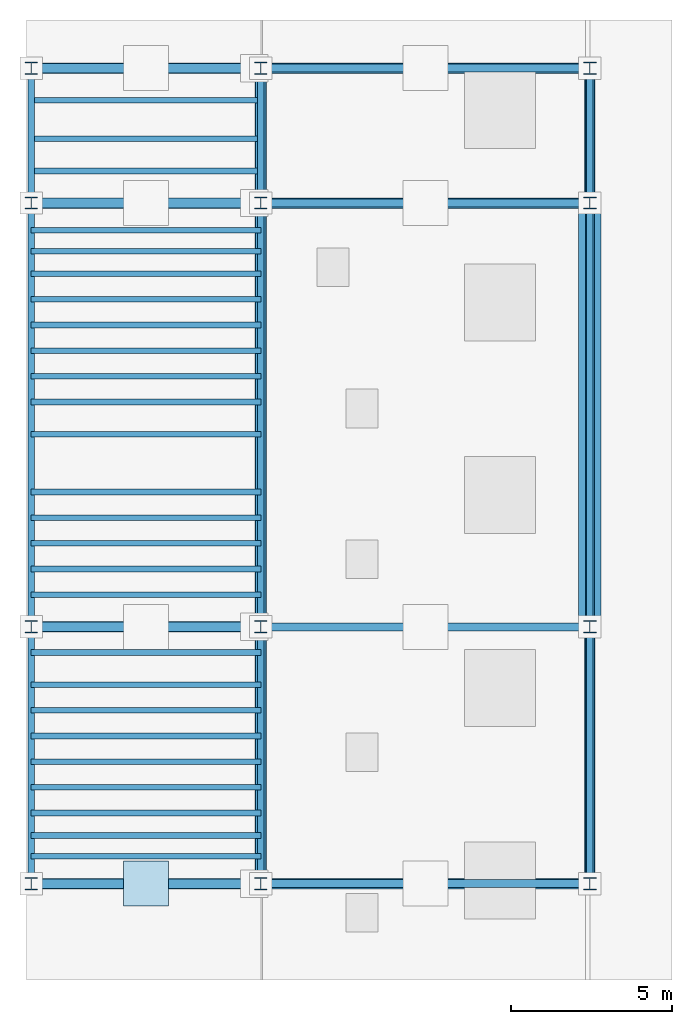
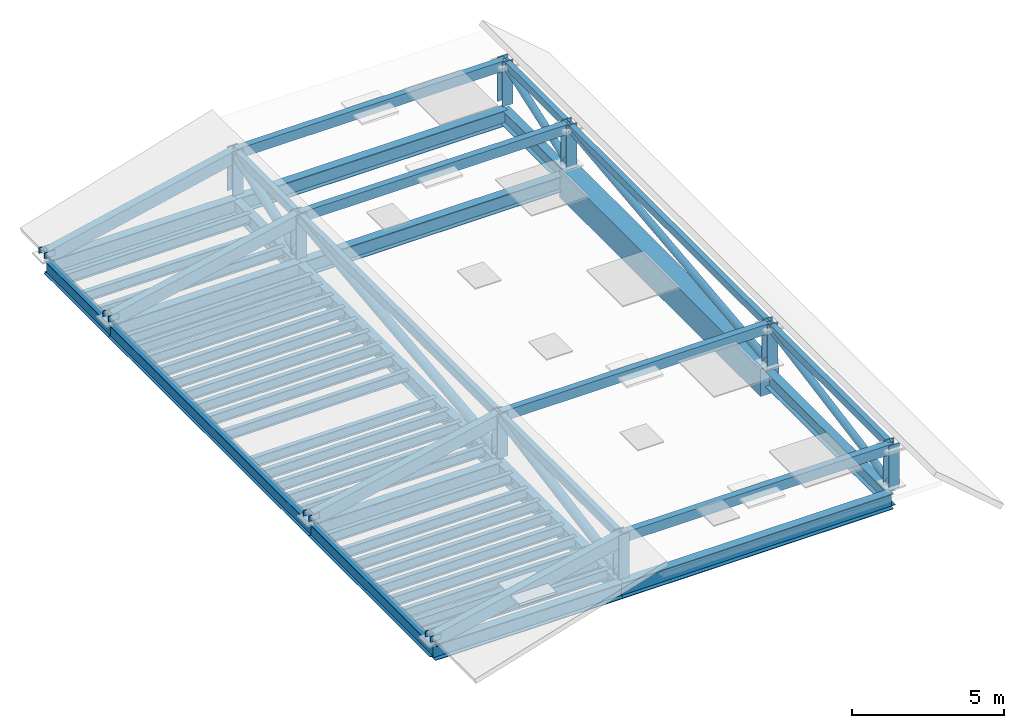
# One storey, part 1 of 2: 42 beams, 20 members, 12 columns, 1 plate.
"""IFC4 building model written with IfcOpenShell, lengths in metres."""

from ifc_helpers import new_model, si_unit, direction, frame, origin, origin_2d, place, context, subcontext, project, spatial, rectangle, hollow_rectangle, hollow_circle, i_section, extrude, source, transform, mapped, material, layer, layer_set, material_profile, profile_set, type_object, element, save


model = new_model("IFC4")

# Units and contexts
model_context = context("Model", 3, precision=1e-05, world=origin(), true_north=direction((0.0, 1.0)))
body_context = subcontext(model_context, "Body", "Model", "MODEL_VIEW")
ifc_project = project(units=[si_unit("LENGTHUNIT", "METRE"), si_unit("AREAUNIT", "SQUARE_METRE"), si_unit("VOLUMEUNIT", "CUBIC_METRE"), si_unit("PLANEANGLEUNIT", "RADIAN"), si_unit("MASSUNIT", "GRAM", prefix="KILO")], contexts=[model_context])

# Site, building, storey
site_placement = place(None, origin())
site = spatial("IfcSite", under=ifc_project, at=site_placement, CompositionType="ELEMENT")
building_placement = place(site_placement, origin())
building = spatial("IfcBuilding", under=site, at=building_placement, Name="Valdorenza Pilgrim Sanctuary Tower", CompositionType="ELEMENT")
storey_placement = place(building_placement, frame((0.0, 0.0, 307.60009765625)))
storey = spatial("IfcBuildingStorey", under=building, at=storey_placement, Name="RF", CompositionType="ELEMENT", Elevation=307.60009765625)

# Columns
ifc_material_1 = material(Name="Steel ASTM A992 Grade 50", Category="steel")
ifc_material_profile_1 = material_profile(ifc_material_1, i_section(OverallWidth=0.39892578125, OverallDepth=0.386962890625, WebThickness=0.02099609375, FlangeThickness=0.033203125, at=origin_2d()), Name="W14X176")
ifc_profile_set_1 = profile_set([ifc_material_profile_1], Name="Steel ASTM A992 Grade 50")
column_type = type_object("IfcColumnType", Name="COL-PIL-W176", PredefinedType="PILASTER", material=ifc_profile_set_1)
shared_shape_1 = source(origin(), body_context, "Body", "SweptSolid", [
    extrude(i_section(OverallWidth=0.39892578125, OverallDepth=0.386962890625, WebThickness=0.02099609375, FlangeThickness=0.033203125, at=origin_2d()), origin(), (0.0, 0.0, 1.0), 1.77978515625),
])
for number, where, z_axis, x_axis, name in (
    (1, (-22.64990234375, -10.60009765625, 0.0), (0.0, 0.0, 1.0), (1.0, 0.0, 0.0), "RF Crown Ridge Support Post W1"),
    (2, (-12.39990234375, -10.60009765625, 0.0), (0.0, 0.0, 1.0), (1.0, 0.0, 0.0), "RF Crown Ridge Support Post E1"),
    (3, (-22.64990234375, -2.60009765625, 0.0), (0.0, 0.0, 1.0), (1.0, 0.0, 0.0), "RF Crown Ridge Support Post W2"),
    (4, (-12.39990234375, -2.60009765625, 0.0), (0.0, 0.0, 1.0), (1.0, 0.0, 0.0), "RF Crown Ridge Support Post E2"),
    (5, (-22.64990234375, 10.60009765625, 0.0), (0.0, 0.0, 1.0), (1.0, 0.0, 0.0), "RF Crown Ridge Support Post W3"),
    (6, (-12.39990234375, 10.60009765625, 0.0), (0.0, 0.0, 1.0), (1.0, 0.0, 0.0), "RF Crown Ridge Support Post E3"),
    (7, (-22.64990234375, 14.800048828125, 0.0), (0.0, 0.0, 1.0), (1.0, 0.0, 0.0), "RF Crown Ridge Support Post W4"),
    (8, (-12.39990234375, 14.800048828125, 0.0), (0.0, 0.0, 1.0), (1.0, 0.0, 0.0), "RF Crown Ridge Support Post E4"),
):
    element("IfcColumn", number, at=place(storey_placement, frame(where, z_axis=z_axis, x_axis=x_axis)), inside=storey, type_object=column_type, Name=name, PredefinedType="PILASTER", context=body_context, shape_type="MappedRepresentation", body=[
        mapped(shared_shape_1, transform((0.0, 0.0, 0.0), x_axis=(1.0, 0.0, 0.0), y_axis=(0.0, 1.0, 0.0), z_axis=(0.0, 0.0, 1.0), scale=1.0)),
    ])
shared_shape_2 = source(origin(), body_context, "Body", "SweptSolid", [
    extrude(i_section(OverallWidth=0.39892578125, OverallDepth=0.386962890625, WebThickness=0.02099609375, FlangeThickness=0.033203125, at=origin_2d()), origin(), (0.0, 0.0, 1.0), 0.219970703125),
])
for number, where, z_axis, x_axis, name in (
    (9, (-29.800048828125, -10.60009765625, 0.0), (0.0, 0.0, 1.0), (1.0, 0.0, 0.0), "RF West Eave Support Post 1"),
    (10, (-29.800048828125, -2.60009765625, 0.0), (0.0, 0.0, 1.0), (1.0, 0.0, 0.0), "RF West Eave Support Post 2"),
    (11, (-29.800048828125, 10.60009765625, 0.0), (0.0, 0.0, 1.0), (1.0, 0.0, 0.0), "RF West Eave Support Post 3"),
    (12, (-29.800048828125, 14.800048828125, 0.0), (0.0, 0.0, 1.0), (1.0, 0.0, 0.0), "RF West Eave Support Post 4"),
):
    element("IfcColumn", number, at=place(storey_placement, frame(where, z_axis=z_axis, x_axis=x_axis)), inside=storey, type_object=column_type, Name=name, PredefinedType="PILASTER", context=body_context, shape_type="MappedRepresentation", body=[
        mapped(shared_shape_2, transform((0.0, 0.0, 0.0), x_axis=(1.0, 0.0, 0.0), y_axis=(0.0, 1.0, 0.0), z_axis=(0.0, 0.0, 1.0), scale=1.0)),
    ])

# Beams
ifc_material_2 = material(Name="Concrete C50/60", Category="concrete")
ifc_material_profile_2 = material_profile(ifc_material_2, rectangle(XDim=0.699951171875, YDim=1.10009765625, at=origin_2d()), Name="RC 1100x700")
ifc_profile_set_2 = profile_set([ifc_material_profile_2], Name="Concrete C50/60")
beam_type_1 = type_object("IfcBeamType", Name="STR-BM-LNT-1100", PredefinedType="LINTEL", material=ifc_profile_set_2)
shared_shape_3 = source(origin(), body_context, "Body", "SweptSolid", [
    extrude(rectangle(XDim=0.699951171875, YDim=1.10009765625, at=origin_2d()), origin(), (0.0, 0.0, 1.0), 13.2001953125),
])
beam_1_placement = place(storey_placement, frame((-12.39990234375, -2.60009765625, -0.590087890625), z_axis=(0.0, 1.0, 0.0), x_axis=(-1.0, 0.0, 0.0)))
element("IfcBeam", 13, at=beam_1_placement, inside=storey, type_object=beam_type_1, Name="RF Core A Coupling Lintel Girder", PredefinedType="LINTEL", context=body_context, shape_type="MappedRepresentation", body=[
    mapped(shared_shape_3, transform((0.0, 0.0, 0.0), x_axis=(1.0, 0.0, 0.0), y_axis=(0.0, 1.0, 0.0), z_axis=(0.0, 0.0, 1.0), scale=1.0)),
])
ifc_material_profile_3 = material_profile(ifc_material_1, i_section(OverallWidth=0.323974609375, OverallDepth=0.611083984375, WebThickness=0.0126953125, FlangeThickness=0.01904296875, at=origin_2d()), Name="W24X104")
ifc_profile_set_3 = profile_set([ifc_material_profile_3], Name="Steel ASTM A992 Grade 50")
beam_type_2 = type_object("IfcBeamType", Name="STR-BM-GRD-W24B", PredefinedType="BEAM", material=ifc_profile_set_3)
shared_shape_4 = source(origin(), body_context, "Body", "SweptSolid", [
    extrude(i_section(OverallWidth=0.323974609375, OverallDepth=0.611083984375, WebThickness=0.0126953125, FlangeThickness=0.01904296875, at=origin_2d()), origin(), (0.0, 0.0, 1.0), 8.0),
])
for number, where, z_axis, x_axis, name in (
    (14, (-22.64990234375, -10.60009765625, -0.505615234375), (0.0, 1.0, 0.0), (-1.0, 0.0, 0.0), "RF Core Tie Girder CA-W-S1M0"),
    (15, (-12.39990234375, -10.60009765625, -0.505615234375), (0.0, 1.0, 0.0), (-1.0, 0.0, 0.0), "RF Core Tie Girder CA-E-S1M0"),
):
    element("IfcBeam", number, at=place(storey_placement, frame(where, z_axis=z_axis, x_axis=x_axis)), inside=storey, type_object=beam_type_2, Name=name, PredefinedType="BEAM", context=body_context, shape_type="MappedRepresentation", body=[
        mapped(shared_shape_4, transform((0.0, 0.0, 0.0), x_axis=(1.0, 0.0, 0.0), y_axis=(0.0, 1.0, 0.0), z_axis=(0.0, 0.0, 1.0), scale=1.0)),
    ])
shared_shape_5 = source(origin(), body_context, "Body", "SweptSolid", [
    extrude(i_section(OverallWidth=0.323974609375, OverallDepth=0.611083984375, WebThickness=0.0126953125, FlangeThickness=0.01904296875, at=origin_2d()), origin(), (0.0, 0.0, 1.0), 13.2001953125),
])
beam_2_placement = place(storey_placement, frame((-22.64990234375, -2.60009765625, -0.505615234375), z_axis=(0.0, 1.0, 0.0), x_axis=(-1.0, 0.0, 0.0)))
element("IfcBeam", 16, at=beam_2_placement, inside=storey, type_object=beam_type_2, Name="RF Core Tie Girder CA-W-M0N1", PredefinedType="BEAM", context=body_context, shape_type="MappedRepresentation", body=[
    mapped(shared_shape_5, transform((0.0, 0.0, 0.0), x_axis=(1.0, 0.0, 0.0), y_axis=(0.0, 1.0, 0.0), z_axis=(0.0, 0.0, 1.0), scale=1.0)),
])
shared_shape_6 = source(origin(), body_context, "Body", "SweptSolid", [
    extrude(i_section(OverallWidth=0.323974609375, OverallDepth=0.611083984375, WebThickness=0.0126953125, FlangeThickness=0.01904296875, at=origin_2d()), origin(), (0.0, 0.0, 1.0), 4.199951171875),
])
for number, where, z_axis, x_axis, name in (
    (17, (-22.64990234375, 10.60009765625, -0.505615234375), (0.0, 1.0, 0.0), (-1.0, 0.0, 0.0), "RF Core Tie Girder CA-W-N1N2"),
    (18, (-12.39990234375, 10.60009765625, -0.505615234375), (0.0, 1.0, 0.0), (-1.0, 0.0, 0.0), "RF Core Tie Girder CA-E-N1N2"),
):
    element("IfcBeam", number, at=place(storey_placement, frame(where, z_axis=z_axis, x_axis=x_axis)), inside=storey, type_object=beam_type_2, Name=name, PredefinedType="BEAM", context=body_context, shape_type="MappedRepresentation", body=[
        mapped(shared_shape_6, transform((0.0, 0.0, 0.0), x_axis=(1.0, 0.0, 0.0), y_axis=(0.0, 1.0, 0.0), z_axis=(0.0, 0.0, 1.0), scale=1.0)),
    ])
ifc_material_profile_4 = material_profile(ifc_material_1, i_section(OverallWidth=0.2109375, OverallDepth=0.5390625, WebThickness=0.01171875, FlangeThickness=0.018798828125, at=origin_2d()), Name="W21X73")
ifc_profile_set_4 = profile_set([ifc_material_profile_4], Name="Steel ASTM A992 Grade 50")
beam_type_3 = type_object("IfcBeamType", Name="STR-BM-SPN-W21B", PredefinedType="SPANDREL", material=ifc_profile_set_4)
shared_shape_7 = source(origin(), body_context, "Body", "SweptSolid", [
    extrude(i_section(OverallWidth=0.2109375, OverallDepth=0.5390625, WebThickness=0.01171875, FlangeThickness=0.018798828125, at=origin_2d()), origin(), (0.0, 0.0, 1.0), 8.0),
])
beam_3_placement = place(storey_placement, frame((-29.800048828125, -10.60009765625, -0.469482421875), z_axis=(0.0, 1.0, 0.0), x_axis=(-1.0, 0.0, 0.0)))
element("IfcBeam", 19, at=beam_3_placement, inside=storey, type_object=beam_type_3, Name="RF Spandrel Beam WA-W-S1M0", PredefinedType="SPANDREL", context=body_context, shape_type="MappedRepresentation", body=[
    mapped(shared_shape_7, transform((0.0, 0.0, 0.0), x_axis=(1.0, 0.0, 0.0), y_axis=(0.0, 1.0, 0.0), z_axis=(0.0, 0.0, 1.0), scale=1.0)),
])
shared_shape_8 = source(origin(), body_context, "Body", "SweptSolid", [
    extrude(i_section(OverallWidth=0.2109375, OverallDepth=0.5390625, WebThickness=0.01171875, FlangeThickness=0.018798828125, at=origin_2d()), origin(), (0.0, 0.0, 1.0), 13.2001953125),
])
beam_4_placement = place(storey_placement, frame((-29.800048828125, -2.60009765625, -0.469482421875), z_axis=(0.0, 1.0, 0.0), x_axis=(-1.0, 0.0, 0.0)))
element("IfcBeam", 20, at=beam_4_placement, inside=storey, type_object=beam_type_3, Name="RF Spandrel Beam WA-W-M0N1", PredefinedType="SPANDREL", context=body_context, shape_type="MappedRepresentation", body=[
    mapped(shared_shape_8, transform((0.0, 0.0, 0.0), x_axis=(1.0, 0.0, 0.0), y_axis=(0.0, 1.0, 0.0), z_axis=(0.0, 0.0, 1.0), scale=1.0)),
])
shared_shape_9 = source(origin(), body_context, "Body", "SweptSolid", [
    extrude(i_section(OverallWidth=0.2109375, OverallDepth=0.5390625, WebThickness=0.01171875, FlangeThickness=0.018798828125, at=origin_2d()), origin(), (0.0, 0.0, 1.0), 4.199951171875),
])
beam_5_placement = place(storey_placement, frame((-29.800048828125, 10.60009765625, -0.469482421875), z_axis=(0.0, 1.0, 0.0), x_axis=(-1.0, 0.0, 0.0)))
element("IfcBeam", 21, at=beam_5_placement, inside=storey, type_object=beam_type_3, Name="RF Spandrel Beam WA-W-N1N2", PredefinedType="SPANDREL", context=body_context, shape_type="MappedRepresentation", body=[
    mapped(shared_shape_9, transform((0.0, 0.0, 0.0), x_axis=(1.0, 0.0, 0.0), y_axis=(0.0, 1.0, 0.0), z_axis=(0.0, 0.0, 1.0), scale=1.0)),
])
ifc_material_profile_5 = material_profile(ifc_material_1, i_section(OverallWidth=0.177978515625, OverallDepth=0.406005859375, WebThickness=0.0078125, FlangeThickness=0.0126953125, at=origin_2d()), Name="W16X40")
ifc_profile_set_5 = profile_set([ifc_material_profile_5], Name="Steel ASTM A992 Grade 50")
beam_type_4 = type_object("IfcBeamType", Name="STR-BM-JST-W16", PredefinedType="JOIST", material=ifc_profile_set_5)
shared_shape_10 = source(origin(), body_context, "Body", "SweptSolid", [
    extrude(i_section(OverallWidth=0.177978515625, OverallDepth=0.406005859375, WebThickness=0.0078125, FlangeThickness=0.0126953125, at=origin_2d()), origin(), (0.0, 0.0, 1.0), 7.150146484375),
])
for number, where, z_axis, x_axis, name in (
    (22, (-29.800048828125, -9.75, -0.403076171875), (1.0, 0.0, 0.0), (0.0, 1.0, 0.0), "RF Composite Floor Joist JST-WA-1"),
    (23, (-29.800048828125, -9.10009765625, -0.403076171875), (1.0, 0.0, 0.0), (0.0, 1.0, 0.0), "RF Composite Floor Joist JST-WA-2"),
    (24, (-29.800048828125, -8.39990234375, -0.403076171875), (1.0, 0.0, 0.0), (0.0, 1.0, 0.0), "RF Composite Floor Joist JST-WA-3"),
    (25, (-29.800048828125, -7.60009765625, -0.403076171875), (1.0, 0.0, 0.0), (0.0, 1.0, 0.0), "RF Composite Floor Joist JST-WA-4"),
    (26, (-29.800048828125, -6.800048828125, -0.403076171875), (1.0, 0.0, 0.0), (0.0, 1.0, 0.0), "RF Composite Floor Joist JST-WA-5"),
    (27, (-29.800048828125, -6.0, -0.403076171875), (1.0, 0.0, 0.0), (0.0, 1.0, 0.0), "RF Composite Floor Joist JST-WA-6"),
    (28, (-29.800048828125, -5.199951171875, -0.403076171875), (1.0, 0.0, 0.0), (0.0, 1.0, 0.0), "RF Composite Floor Joist JST-WA-7"),
    (29, (-29.800048828125, -4.39990234375, -0.403076171875), (1.0, 0.0, 0.0), (0.0, 1.0, 0.0), "RF Composite Floor Joist JST-WA-8"),
    (30, (-29.800048828125, -3.39990234375, -0.403076171875), (1.0, 0.0, 0.0), (0.0, 1.0, 0.0), "RF Composite Floor Joist JST-WA-9"),
    (31, (-29.800048828125, -1.60009765625, -0.403076171875), (1.0, 0.0, 0.0), (0.0, 1.0, 0.0), "RF Composite Floor Joist JST-WA-10"),
    (32, (-29.800048828125, -0.800048828125, -0.403076171875), (1.0, 0.0, 0.0), (0.0, 1.0, 0.0), "RF Composite Floor Joist JST-WA-11"),
    (33, (-29.800048828125, 0.0, -0.403076171875), (1.0, 0.0, 0.0), (0.0, 1.0, 0.0), "RF Composite Floor Joist JST-WA-12"),
    (34, (-29.800048828125, 0.800048828125, -0.403076171875), (1.0, 0.0, 0.0), (0.0, 1.0, 0.0), "RF Composite Floor Joist JST-WA-13"),
    (35, (-29.800048828125, 1.60009765625, -0.403076171875), (1.0, 0.0, 0.0), (0.0, 1.0, 0.0), "RF Composite Floor Joist JST-WA-14"),
    (36, (-29.800048828125, 3.39990234375, -0.403076171875), (1.0, 0.0, 0.0), (0.0, 1.0, 0.0), "RF Composite Floor Joist JST-WA-15"),
    (37, (-29.800048828125, 4.39990234375, -0.403076171875), (1.0, 0.0, 0.0), (0.0, 1.0, 0.0), "RF Composite Floor Joist JST-WA-16"),
    (38, (-29.800048828125, 5.199951171875, -0.403076171875), (1.0, 0.0, 0.0), (0.0, 1.0, 0.0), "RF Composite Floor Joist JST-WA-17"),
    (39, (-29.800048828125, 6.0, -0.403076171875), (1.0, 0.0, 0.0), (0.0, 1.0, 0.0), "RF Composite Floor Joist JST-WA-18"),
    (40, (-29.800048828125, 6.800048828125, -0.403076171875), (1.0, 0.0, 0.0), (0.0, 1.0, 0.0), "RF Composite Floor Joist JST-WA-19"),
    (41, (-29.800048828125, 7.60009765625, -0.403076171875), (1.0, 0.0, 0.0), (0.0, 1.0, 0.0), "RF Composite Floor Joist JST-WA-20"),
    (42, (-29.800048828125, 8.39990234375, -0.403076171875), (1.0, 0.0, 0.0), (0.0, 1.0, 0.0), "RF Composite Floor Joist JST-WA-21"),
    (43, (-29.800048828125, 9.10009765625, -0.403076171875), (1.0, 0.0, 0.0), (0.0, 1.0, 0.0), "RF Composite Floor Joist JST-WA-22"),
    (44, (-29.800048828125, 9.75, -0.403076171875), (1.0, 0.0, 0.0), (0.0, 1.0, 0.0), "RF Composite Floor Joist JST-WA-23"),
    (45, (-29.800048828125, 11.60009765625, -0.403076171875), (1.0, 0.0, 0.0), (0.0, 1.0, 0.0), "RF Composite Floor Joist JST-WA-24"),
    (46, (-29.800048828125, 12.60009765625, -0.403076171875), (1.0, 0.0, 0.0), (0.0, 1.0, 0.0), "RF Composite Floor Joist JST-WA-25"),
    (47, (-29.800048828125, 13.800048828125, -0.403076171875), (1.0, 0.0, 0.0), (0.0, 1.0, 0.0), "RF Composite Floor Joist JST-WA-26"),
):
    element("IfcBeam", number, at=place(storey_placement, frame(where, z_axis=z_axis, x_axis=x_axis)), inside=storey, type_object=beam_type_4, Name=name, PredefinedType="JOIST", context=body_context, shape_type="MappedRepresentation", body=[
        mapped(shared_shape_10, transform((0.0, 0.0, 0.0), x_axis=(1.0, 0.0, 0.0), y_axis=(0.0, 1.0, 0.0), z_axis=(0.0, 0.0, 1.0), scale=1.0)),
    ])
ifc_material_profile_6 = material_profile(ifc_material_1, i_section(OverallWidth=0.326904296875, OverallDepth=0.6220703125, WebThickness=0.015380859375, FlangeThickness=0.0244140625, at=origin_2d()), Name="W24X131")
ifc_profile_set_6 = profile_set([ifc_material_profile_6], Name="Steel ASTM A992 Grade 50")
beam_type_5 = type_object("IfcBeamType", Name="STR-BM-GRD-W24A", PredefinedType="BEAM", material=ifc_profile_set_6)
shared_shape_11 = source(origin(), body_context, "Body", "SweptSolid", [
    extrude(i_section(OverallWidth=0.326904296875, OverallDepth=0.6220703125, WebThickness=0.015380859375, FlangeThickness=0.0244140625, at=origin_2d()), origin(), (0.0, 0.0, 1.0), 7.150146484375),
])
for number, where, z_axis, x_axis, name in (
    (48, (-29.800048828125, -10.60009765625, -0.510986328125), (1.0, 0.0, 0.0), (0.0, 1.0, 0.0), "RF Floor Girder WA-XW-S1"),
    (49, (-29.800048828125, -2.60009765625, -0.510986328125), (1.0, 0.0, 0.0), (0.0, 1.0, 0.0), "RF Floor Girder WA-XW-M0"),
    (50, (-29.800048828125, 10.60009765625, -0.510986328125), (1.0, 0.0, 0.0), (0.0, 1.0, 0.0), "RF Floor Girder WA-XW-N1"),
    (51, (-29.800048828125, 14.800048828125, -0.510986328125), (1.0, 0.0, 0.0), (0.0, 1.0, 0.0), "RF Floor Girder WA-XW-N2"),
):
    element("IfcBeam", number, at=place(storey_placement, frame(where, z_axis=z_axis, x_axis=x_axis)), inside=storey, type_object=beam_type_5, Name=name, PredefinedType="BEAM", context=body_context, shape_type="MappedRepresentation", body=[
        mapped(shared_shape_11, transform((0.0, 0.0, 0.0), x_axis=(1.0, 0.0, 0.0), y_axis=(0.0, 1.0, 0.0), z_axis=(0.0, 0.0, 1.0), scale=1.0)),
    ])
shared_shape_12 = source(origin(), body_context, "Body", "SweptSolid", [
    extrude(i_section(OverallWidth=0.326904296875, OverallDepth=0.6220703125, WebThickness=0.015380859375, FlangeThickness=0.0244140625, at=origin_2d()), origin(), (0.0, 0.0, 1.0), 10.25),
])
for number, where, z_axis, x_axis, name in (
    (52, (-22.64990234375, -10.60009765625, -0.510986328125), (1.0, 0.0, 0.0), (0.0, 1.0, 0.0), "RF Floor Girder CA-XC-S1"),
    (53, (-22.64990234375, 10.60009765625, -0.510986328125), (1.0, 0.0, 0.0), (0.0, 1.0, 0.0), "RF Floor Girder CA-XC-N1"),
    (54, (-22.64990234375, 14.800048828125, -0.510986328125), (1.0, 0.0, 0.0), (0.0, 1.0, 0.0), "RF Floor Girder CA-XC-N2"),
):
    element("IfcBeam", number, at=place(storey_placement, frame(where, z_axis=z_axis, x_axis=x_axis)), inside=storey, type_object=beam_type_5, Name=name, PredefinedType="BEAM", context=body_context, shape_type="MappedRepresentation", body=[
        mapped(shared_shape_12, transform((0.0, 0.0, 0.0), x_axis=(1.0, 0.0, 0.0), y_axis=(0.0, 1.0, 0.0), z_axis=(0.0, 0.0, 1.0), scale=1.0)),
    ])

# Members
ifc_material_3 = material(Name="Steel S355J2", Category="steel")
ifc_material_profile_7 = material_profile(ifc_material_3, hollow_rectangle(XDim=0.300048828125, YDim=0.5, WallThickness=0.02001953125, at=origin_2d()), Name="RHS 500x300x20")
ifc_profile_set_7 = profile_set([ifc_material_profile_7], Name="Steel S355J2")
member_type_1 = type_object("IfcMemberType", Name="STR-MB-RAF-500", PredefinedType="RAFTER", material=ifc_profile_set_7)
shared_shape_13 = source(origin(), body_context, "Body", "SweptSolid", [
    extrude(hollow_rectangle(XDim=0.300048828125, YDim=0.5, WallThickness=0.02001953125, at=origin_2d()), origin(), (0.0, 0.0, 1.0), 7.322509765625),
])
for number, where, z_axis, x_axis, name in (
    (55, (-29.800048828125, -10.60009765625, -0.050048828125), (0.97644914702, 0.0, 0.215747684309), (0.0, 1.0, 0.0), "RF West Crown Sloped Rafter W1"),
    (56, (-29.800048828125, -2.60009765625, -0.050048828125), (0.97644914702, 0.0, 0.215747684309), (0.0, 1.0, 0.0), "RF West Crown Sloped Rafter W2"),
    (57, (-29.800048828125, 10.60009765625, -0.050048828125), (0.97644914702, 0.0, 0.215747684309), (0.0, 1.0, 0.0), "RF West Crown Sloped Rafter W3"),
    (58, (-29.800048828125, 14.800048828125, -0.050048828125), (0.97644914702, 0.0, 0.215747684309), (0.0, 1.0, 0.0), "RF West Crown Sloped Rafter W4"),
):
    element("IfcMember", number, at=place(storey_placement, frame(where, z_axis=z_axis, x_axis=x_axis)), inside=storey, type_object=member_type_1, Name=name, PredefinedType="RAFTER", context=body_context, shape_type="MappedRepresentation", body=[
        mapped(shared_shape_13, transform((0.0, 0.0, 0.0), x_axis=(1.0, 0.0, 0.0), y_axis=(0.0, 1.0, 0.0), z_axis=(0.0, 0.0, 1.0), scale=1.0)),
    ])
ifc_material_profile_8 = material_profile(ifc_material_3, hollow_rectangle(XDim=0.25, YDim=0.39990234375, WallThickness=0.01611328125, at=origin_2d()), Name="RHS 400x250x16")
ifc_profile_set_8 = profile_set([ifc_material_profile_8], Name="Steel S355J2")
member_type_2 = type_object("IfcMemberType", Name="STR-MB-RAF-400", PredefinedType="RAFTER", material=ifc_profile_set_8)
shared_shape_14 = source(origin(), body_context, "Body", "SweptSolid", [
    extrude(hollow_rectangle(XDim=0.25, YDim=0.39990234375, WallThickness=0.01611328125, at=origin_2d()), origin(), (0.0, 0.0, 1.0), 10.25),
])
for number, where, z_axis, x_axis, name in (
    (59, (-22.64990234375, -10.60009765625, 1.579833984375), (1.0, 0.0, 0.0), (0.0, 1.0, 0.0), "RF Central Crown Ridge Rafter E1"),
    (60, (-22.64990234375, -2.60009765625, 1.579833984375), (1.0, 0.0, 0.0), (0.0, 1.0, 0.0), "RF Central Crown Ridge Rafter E2"),
    (61, (-22.64990234375, 10.60009765625, 1.579833984375), (1.0, 0.0, 0.0), (0.0, 1.0, 0.0), "RF Central Crown Ridge Rafter E3"),
    (62, (-22.64990234375, 14.800048828125, 1.579833984375), (1.0, 0.0, 0.0), (0.0, 1.0, 0.0), "RF Central Crown Ridge Rafter E4"),
):
    element("IfcMember", number, at=place(storey_placement, frame(where, z_axis=z_axis, x_axis=x_axis)), inside=storey, type_object=member_type_2, Name=name, PredefinedType="RAFTER", context=body_context, shape_type="MappedRepresentation", body=[
        mapped(shared_shape_14, transform((0.0, 0.0, 0.0), x_axis=(1.0, 0.0, 0.0), y_axis=(0.0, 1.0, 0.0), z_axis=(0.0, 0.0, 1.0), scale=1.0)),
    ])
ifc_material_profile_9 = material_profile(ifc_material_3, hollow_rectangle(XDim=0.199951171875, YDim=0.35009765625, WallThickness=0.012451171875, at=origin_2d()), Name="RHS 350x200x12.5")
ifc_profile_set_9 = profile_set([ifc_material_profile_9], Name="Steel S355J2")
member_type_3 = type_object("IfcMemberType", Name="STR-MB-PUR-350", PredefinedType="PURLIN", material=ifc_profile_set_9)
shared_shape_15 = source(origin(), body_context, "Body", "SweptSolid", [
    extrude(hollow_rectangle(XDim=0.199951171875, YDim=0.35009765625, WallThickness=0.012451171875, at=origin_2d()), origin(), (0.0, 0.0, 1.0), 8.0),
])
member_1_placement = place(storey_placement, frame((-22.64990234375, -10.60009765625, 1.599853515625), z_axis=(0.0, 1.0, 0.0), x_axis=(-1.0, 0.0, 0.0)))
element("IfcMember", 63, at=member_1_placement, inside=storey, type_object=member_type_3, Name="RF Crown West Ridge Purlin 1", PredefinedType="PURLIN", context=body_context, shape_type="MappedRepresentation", body=[
    mapped(shared_shape_15, transform((0.0, 0.0, 0.0), x_axis=(1.0, 0.0, 0.0), y_axis=(0.0, 1.0, 0.0), z_axis=(0.0, 0.0, 1.0), scale=1.0)),
])
ifc_material_profile_10 = material_profile(ifc_material_3, hollow_rectangle(XDim=0.199951171875, YDim=0.300048828125, WallThickness=0.012451171875, at=origin_2d()), Name="RHS 300x200x12.5")
ifc_profile_set_10 = profile_set([ifc_material_profile_10], Name="Steel S355J2")
member_type_4 = type_object("IfcMemberType", Name="STR-MB-BOX-300", PredefinedType="MEMBER", material=ifc_profile_set_10)
shared_shape_16 = source(origin(), body_context, "Body", "SweptSolid", [
    extrude(hollow_rectangle(XDim=0.199951171875, YDim=0.300048828125, WallThickness=0.012451171875, at=origin_2d()), origin(), (0.0, 0.0, 1.0), 8.0),
])
member_2_placement = place(storey_placement, frame((-12.39990234375, -10.60009765625, 1.6298828125), z_axis=(0.0, 1.0, 0.0), x_axis=(-1.0, 0.0, 0.0)))
element("IfcMember", 64, at=member_2_placement, inside=storey, type_object=member_type_4, Name="RF Crown East Ridge Purlin 1", PredefinedType="MEMBER", context=body_context, shape_type="MappedRepresentation", body=[
    mapped(shared_shape_16, transform((0.0, 0.0, 0.0), x_axis=(1.0, 0.0, 0.0), y_axis=(0.0, 1.0, 0.0), z_axis=(0.0, 0.0, 1.0), scale=1.0)),
])
ifc_material_profile_11 = material_profile(ifc_material_3, hollow_circle(Radius=0.177734375, WallThickness=0.012451171875, at=origin_2d()), Name="CHS 355.6x12.5")
ifc_profile_set_11 = profile_set([ifc_material_profile_11], Name="Steel S355J2")
member_type_5 = type_object("IfcMemberType", Name="STR-MB-CHS-355", PredefinedType="BRACE", material=ifc_profile_set_11)
shared_shape_17 = source(origin(), body_context, "Body", "SweptSolid", [
    extrude(hollow_circle(Radius=0.177734375, WallThickness=0.012451171875, at=origin_2d()), origin(), (0.0, 0.0, 1.0), 8.1357421875),
])
member_3_placement = place(storey_placement, frame((-22.64990234375, -10.60009765625, 0.099853515625), z_axis=(0.0, 0.983315021916, 0.181910878383), x_axis=(-1.0, 0.0, 0.0)))
element("IfcMember", 65, at=member_3_placement, inside=storey, type_object=member_type_5, Name="RF Crown Wind Brace A1", PredefinedType="BRACE", context=body_context, shape_type="MappedRepresentation", body=[
    mapped(shared_shape_17, transform((0.0, 0.0, 0.0), x_axis=(1.0, 0.0, 0.0), y_axis=(0.0, 1.0, 0.0), z_axis=(0.0, 0.0, 1.0), scale=1.0)),
])
ifc_material_profile_12 = material_profile(ifc_material_3, hollow_circle(Radius=0.136474609375, WallThickness=0.010009765625, at=origin_2d()), Name="CHS 273x10")
ifc_profile_set_12 = profile_set([ifc_material_profile_12], Name="Steel S355J2")
member_type_6 = type_object("IfcMemberType", Name="STR-MB-CHS-273", PredefinedType="BRACE", material=ifc_profile_set_12)
shared_shape_18 = source(origin(), body_context, "Body", "SweptSolid", [
    extrude(hollow_circle(Radius=0.136474609375, WallThickness=0.010009765625, at=origin_2d()), origin(), (0.0, 0.0, 1.0), 8.1357421875),
])
member_4_placement = place(storey_placement, frame((-12.39990234375, -10.60009765625, 0.099853515625), z_axis=(0.0, 0.983315021916, 0.181910878383), x_axis=(-1.0, 0.0, 0.0)))
element("IfcMember", 66, at=member_4_placement, inside=storey, type_object=member_type_6, Name="RF Crown Wind Brace B1", PredefinedType="BRACE", context=body_context, shape_type="MappedRepresentation", body=[
    mapped(shared_shape_18, transform((0.0, 0.0, 0.0), x_axis=(1.0, 0.0, 0.0), y_axis=(0.0, 1.0, 0.0), z_axis=(0.0, 0.0, 1.0), scale=1.0)),
])
shared_shape_19 = source(origin(), body_context, "Body", "SweptSolid", [
    extrude(hollow_rectangle(XDim=0.199951171875, YDim=0.35009765625, WallThickness=0.012451171875, at=origin_2d()), origin(), (0.0, 0.0, 1.0), 13.2001953125),
])
member_5_placement = place(storey_placement, frame((-22.64990234375, -2.60009765625, 1.599853515625), z_axis=(0.0, 1.0, 0.0), x_axis=(-1.0, 0.0, 0.0)))
element("IfcMember", 67, at=member_5_placement, inside=storey, type_object=member_type_3, Name="RF Crown West Ridge Purlin 2", PredefinedType="PURLIN", context=body_context, shape_type="MappedRepresentation", body=[
    mapped(shared_shape_19, transform((0.0, 0.0, 0.0), x_axis=(1.0, 0.0, 0.0), y_axis=(0.0, 1.0, 0.0), z_axis=(0.0, 0.0, 1.0), scale=1.0)),
])
shared_shape_20 = source(origin(), body_context, "Body", "SweptSolid", [
    extrude(hollow_rectangle(XDim=0.199951171875, YDim=0.300048828125, WallThickness=0.012451171875, at=origin_2d()), origin(), (0.0, 0.0, 1.0), 13.2001953125),
])
member_6_placement = place(storey_placement, frame((-12.39990234375, -2.60009765625, 1.6298828125), z_axis=(0.0, 1.0, 0.0), x_axis=(-1.0, 0.0, 0.0)))
element("IfcMember", 68, at=member_6_placement, inside=storey, type_object=member_type_4, Name="RF Crown East Ridge Purlin 2", PredefinedType="MEMBER", context=body_context, shape_type="MappedRepresentation", body=[
    mapped(shared_shape_20, transform((0.0, 0.0, 0.0), x_axis=(1.0, 0.0, 0.0), y_axis=(0.0, 1.0, 0.0), z_axis=(0.0, 0.0, 1.0), scale=1.0)),
])
shared_shape_21 = source(origin(), body_context, "Body", "SweptSolid", [
    extrude(hollow_circle(Radius=0.177734375, WallThickness=0.012451171875, at=origin_2d()), origin(), (0.0, 0.0, 1.0), 13.282958984375),
])
member_7_placement = place(storey_placement, frame((-22.64990234375, -2.60009765625, 0.099853515625), z_axis=(0.0, 0.99377341101, 0.111419960375), x_axis=(-1.0, 0.0, 0.0)))
element("IfcMember", 69, at=member_7_placement, inside=storey, type_object=member_type_5, Name="RF Crown Wind Brace A2", PredefinedType="BRACE", context=body_context, shape_type="MappedRepresentation", body=[
    mapped(shared_shape_21, transform((0.0, 0.0, 0.0), x_axis=(1.0, 0.0, 0.0), y_axis=(0.0, 1.0, 0.0), z_axis=(0.0, 0.0, 1.0), scale=1.0)),
])
shared_shape_22 = source(origin(), body_context, "Body", "SweptSolid", [
    extrude(hollow_circle(Radius=0.136474609375, WallThickness=0.010009765625, at=origin_2d()), origin(), (0.0, 0.0, 1.0), 13.282958984375),
])
member_8_placement = place(storey_placement, frame((-12.39990234375, -2.60009765625, 0.099853515625), z_axis=(0.0, 0.99377341101, 0.111419960375), x_axis=(-1.0, 0.0, 0.0)))
element("IfcMember", 70, at=member_8_placement, inside=storey, type_object=member_type_6, Name="RF Crown Wind Brace B2", PredefinedType="BRACE", context=body_context, shape_type="MappedRepresentation", body=[
    mapped(shared_shape_22, transform((0.0, 0.0, 0.0), x_axis=(1.0, 0.0, 0.0), y_axis=(0.0, 1.0, 0.0), z_axis=(0.0, 0.0, 1.0), scale=1.0)),
])
shared_shape_23 = source(origin(), body_context, "Body", "SweptSolid", [
    extrude(hollow_rectangle(XDim=0.199951171875, YDim=0.35009765625, WallThickness=0.012451171875, at=origin_2d()), origin(), (0.0, 0.0, 1.0), 4.199951171875),
])
member_9_placement = place(storey_placement, frame((-22.64990234375, 10.60009765625, 1.599853515625), z_axis=(0.0, 1.0, 0.0), x_axis=(-1.0, 0.0, 0.0)))
element("IfcMember", 71, at=member_9_placement, inside=storey, type_object=member_type_3, Name="RF Crown West Ridge Purlin 3", PredefinedType="PURLIN", context=body_context, shape_type="MappedRepresentation", body=[
    mapped(shared_shape_23, transform((0.0, 0.0, 0.0), x_axis=(1.0, 0.0, 0.0), y_axis=(0.0, 1.0, 0.0), z_axis=(0.0, 0.0, 1.0), scale=1.0)),
])
shared_shape_24 = source(origin(), body_context, "Body", "SweptSolid", [
    extrude(hollow_rectangle(XDim=0.199951171875, YDim=0.300048828125, WallThickness=0.012451171875, at=origin_2d()), origin(), (0.0, 0.0, 1.0), 4.199951171875),
])
member_10_placement = place(storey_placement, frame((-12.39990234375, 10.60009765625, 1.6298828125), z_axis=(0.0, 1.0, 0.0), x_axis=(-1.0, 0.0, 0.0)))
element("IfcMember", 72, at=member_10_placement, inside=storey, type_object=member_type_4, Name="RF Crown East Ridge Purlin 3", PredefinedType="MEMBER", context=body_context, shape_type="MappedRepresentation", body=[
    mapped(shared_shape_24, transform((0.0, 0.0, 0.0), x_axis=(1.0, 0.0, 0.0), y_axis=(0.0, 1.0, 0.0), z_axis=(0.0, 0.0, 1.0), scale=1.0)),
])
shared_shape_25 = source(origin(), body_context, "Body", "SweptSolid", [
    extrude(hollow_circle(Radius=0.177734375, WallThickness=0.012451171875, at=origin_2d()), origin(), (0.0, 0.0, 1.0), 4.453125),
])
member_11_placement = place(storey_placement, frame((-22.64990234375, 10.60009765625, 0.099853515625), z_axis=(0.0, 0.943156209835, 0.332349761322), x_axis=(-1.0, 0.0, 0.0)))
element("IfcMember", 73, at=member_11_placement, inside=storey, type_object=member_type_5, Name="RF Crown Wind Brace A3", PredefinedType="BRACE", context=body_context, shape_type="MappedRepresentation", body=[
    mapped(shared_shape_25, transform((0.0, 0.0, 0.0), x_axis=(1.0, 0.0, 0.0), y_axis=(0.0, 1.0, 0.0), z_axis=(0.0, 0.0, 1.0), scale=1.0)),
])
shared_shape_26 = source(origin(), body_context, "Body", "SweptSolid", [
    extrude(hollow_circle(Radius=0.136474609375, WallThickness=0.010009765625, at=origin_2d()), origin(), (0.0, 0.0, 1.0), 4.453125),
])
member_12_placement = place(storey_placement, frame((-12.39990234375, 10.60009765625, 0.099853515625), z_axis=(0.0, 0.943156209835, 0.332349761322), x_axis=(-1.0, 0.0, 0.0)))
element("IfcMember", 74, at=member_12_placement, inside=storey, type_object=member_type_6, Name="RF Crown Wind Brace B3", PredefinedType="BRACE", context=body_context, shape_type="MappedRepresentation", body=[
    mapped(shared_shape_26, transform((0.0, 0.0, 0.0), x_axis=(1.0, 0.0, 0.0), y_axis=(0.0, 1.0, 0.0), z_axis=(0.0, 0.0, 1.0), scale=1.0)),
])

# Plate
ifc_material_4 = material(Name="Steel ASTM A572 Grade 42", Category="steel")
ifc_layer = layer(ifc_material_4, 0.090087890625, Name="Steel ASTM A572 Grade 42")
ifc_layer_set = layer_set([ifc_layer], Name="Steel ASTM A572 Grade 42")
plate_type = type_object("IfcPlateType", Name="PLT-GUS-90", PredefinedType="USERDEFINED", material=ifc_layer_set)
shared_shape_27 = source(origin(), body_context, "Body", "SweptSolid", [
    extrude(rectangle(XDim=1.39990234375, YDim=1.39990234375, at=origin_2d()), origin(), (0.0, 0.0, 1.0), 0.090087890625),
])
plate_placement = place(storey_placement, frame((-26.22509765625, -10.60009765625, 0.69482421875), z_axis=(0.0, 0.0, 1.0), x_axis=(1.0, 0.0, 0.0)))
element("IfcPlate", 75, at=plate_placement, inside=storey, type_object=plate_type, Name="Truss Node Gusset Assembly CN-01 (MB-RF-RAF-W1)", ObjectType="GUSSET PLATE", PredefinedType="USERDEFINED", context=body_context, shape_type="MappedRepresentation", body=[
    mapped(shared_shape_27, transform((0.0, 0.0, 0.0), x_axis=(1.0, 0.0, 0.0), y_axis=(0.0, 1.0, 0.0), z_axis=(0.0, 0.0, 1.0), scale=1.0)),
])

save(model, "model.ifc")
